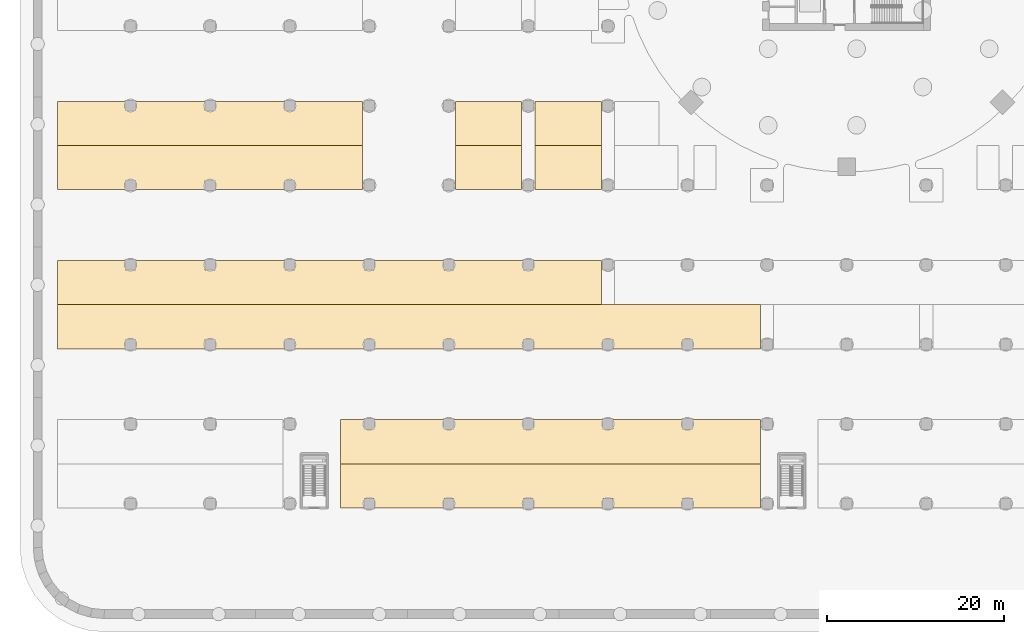
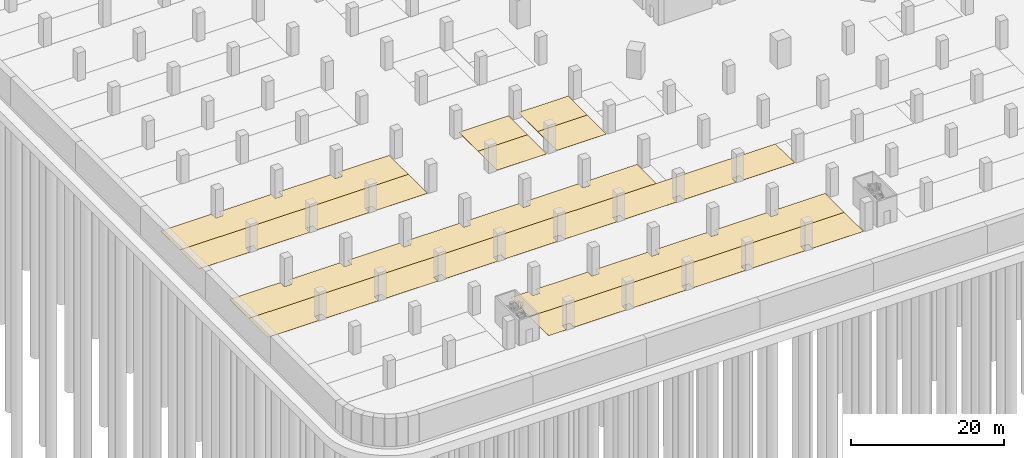
# One storey, part 26 of 39: 10 coverings.
"""IFC4 building model written with IfcOpenShell, lengths in metres."""

from ifc_helpers import new_model, si_unit, direction, frame, origin, place, context, subcontext, project, spatial, polyline, outline, extrude, material, layer, layer_set, type_object, element, save


model = new_model("IFC4")

# Units and contexts
model_context = context("Model", 3, precision=1e-05, world=origin(), true_north=direction((0.0, 1.0)))
body_context = subcontext(model_context, "Body", "Model", "MODEL_VIEW")
ifc_project = project(units=[si_unit("LENGTHUNIT", "METRE"), si_unit("AREAUNIT", "SQUARE_METRE"), si_unit("VOLUMEUNIT", "CUBIC_METRE"), si_unit("PLANEANGLEUNIT", "RADIAN"), si_unit("MASSUNIT", "GRAM", prefix="KILO")], contexts=[model_context])

# Site, building, storey
site_placement = place(None, origin())
site = spatial("IfcSite", under=ifc_project, at=site_placement, CompositionType="ELEMENT")
building_placement = place(site_placement, origin())
building = spatial("IfcBuilding", under=site, at=building_placement, Name="Ogive Gate Towers", CompositionType="ELEMENT")
storey_placement = place(building_placement, frame((0.0, 0.0, -9.0)))
storey = spatial("IfcBuildingStorey", under=building, at=storey_placement, Name="B2", CompositionType="ELEMENT", Elevation=-9.0)

# Coverings
ifc_material = material(Name="Painted floor marking")
ifc_layer_1 = layer(ifc_material, 0.02001953125)
ifc_layer_set_1 = layer_set([ifc_layer_1], Name="Charging bay marking")
covering_type_1 = type_object("IfcCoveringType", Name="Charging bay marking", PredefinedType="FLOORING", material=ifc_layer_set_1)
covering_1_placement = place(storey_placement, origin())
element("IfcCovering", 1, at=covering_1_placement, inside=storey, type_object=covering_type_1, Name="Charging bays B2-225 to B2-227", PredefinedType="FLOORING", context=body_context, shape_type="SweptSolid", body=[
    extrude(outline(polyline([(-63.75, -22.5), (-63.75, -27.5), (-71.25, -27.5), (-71.25, -22.5), (-63.75, -22.5)])), origin(), (0.0, 0.0, 1.0), 0.02001953125),
])
covering_2_placement = place(storey_placement, origin())
element("IfcCovering", 2, at=covering_2_placement, inside=storey, type_object=covering_type_1, Name="Charging bays B2-642 to B2-644", PredefinedType="FLOORING", context=body_context, shape_type="SweptSolid", body=[
    extrude(outline(polyline([(-63.75, -17.5), (-63.75, -22.5), (-71.25, -22.5), (-71.25, -17.5), (-63.75, -17.5)])), origin(), (0.0, 0.0, 1.0), 0.02001953125),
])
ifc_layer_2 = layer(ifc_material, 0.02001953125)
ifc_layer_set_2 = layer_set([ifc_layer_2], Name="Parking bay marking")
covering_type_2 = type_object("IfcCoveringType", Name="Parking bay marking", PredefinedType="FLOORING", material=ifc_layer_set_2)
covering_3_placement = place(storey_placement, origin())
element("IfcCovering", 3, at=covering_3_placement, inside=storey, type_object=covering_type_2, Name="Parking bays B2-210 to B2-221", PredefinedType="FLOORING", context=body_context, shape_type="SweptSolid", body=[
    extrude(outline(polyline([(-125.25, -22.5), (-90.75, -22.5), (-90.75, -27.5), (-98.449951171875, -27.5), (-98.449951171875, -26.449951171875), (-99.550048828125, -26.449951171875), (-99.550048828125, -27.5), (-107.449951171875, -27.5), (-107.449951171875, -26.449951171875), (-108.550048828125, -26.449951171875), (-108.550048828125, -27.5), (-116.449951171875, -27.5), (-116.449951171875, -26.449951171875), (-117.550048828125, -26.449951171875), (-117.550048828125, -27.5), (-125.25, -27.5), (-125.25, -22.5)])), origin(), (0.0, 0.0, 1.0), 0.02001953125),
])
covering_4_placement = place(storey_placement, origin())
element("IfcCovering", 4, at=covering_4_placement, inside=storey, type_object=covering_type_2, Name="Parking bays B2-222 to B2-224", PredefinedType="FLOORING", context=body_context, shape_type="SweptSolid", body=[
    extrude(outline(polyline([(-80.25, -22.5), (-72.75, -22.5), (-72.75, -27.5), (-80.25, -27.5), (-80.25, -22.5)])), origin(), (0.0, 0.0, 1.0), 0.02001953125),
])
covering_5_placement = place(storey_placement, origin())
element("IfcCovering", 5, at=covering_5_placement, inside=storey, type_object=covering_type_2, Name="Parking bays B2-258 to B2-284", PredefinedType="FLOORING", context=body_context, shape_type="SweptSolid", body=[
    extrude(outline(polyline([(-45.75, -40.5), (-45.75, -45.5), (-53.449951171875, -45.5), (-53.449951171875, -44.449951171875), (-54.550048828125, -44.449951171875), (-54.550048828125, -45.5), (-62.449951171875, -45.5), (-62.449951171875, -44.449951171875), (-63.550048828125, -44.449951171875), (-63.550048828125, -45.5), (-71.449951171875, -45.5), (-71.449951171875, -44.449951171875), (-72.550048828125, -44.449951171875), (-72.550048828125, -45.5), (-80.449951171875, -45.5), (-80.449951171875, -44.449951171875), (-81.550048828125, -44.449951171875), (-81.550048828125, -45.5), (-89.449951171875, -45.5), (-89.449951171875, -44.449951171875), (-90.550048828125, -44.449951171875), (-90.550048828125, -45.5), (-98.449951171875, -45.5), (-98.449951171875, -44.449951171875), (-99.550048828125, -44.449951171875), (-99.550048828125, -45.5), (-107.449951171875, -45.5), (-107.449951171875, -44.449951171875), (-108.550048828125, -44.449951171875), (-108.550048828125, -45.5), (-116.449951171875, -45.5), (-116.449951171875, -44.449951171875), (-117.550048828125, -44.449951171875), (-117.550048828125, -45.5), (-125.25, -45.5), (-125.25, -40.5), (-45.75, -40.5)])), origin(), (0.0, 0.0, 1.0), 0.02001953125),
])
covering_6_placement = place(storey_placement, origin())
element("IfcCovering", 6, at=covering_6_placement, inside=storey, type_object=covering_type_2, Name="Parking bays B2-345 to B2-360", PredefinedType="FLOORING", context=body_context, shape_type="SweptSolid", body=[
    extrude(outline(polyline([(-45.75, -58.5), (-45.75, -63.5), (-53.449951171875, -63.5), (-53.449951171875, -62.449951171875), (-54.550048828125, -62.449951171875), (-54.550048828125, -63.5), (-62.449951171875, -63.5), (-62.449951171875, -62.449951171875), (-63.550048828125, -62.449951171875), (-63.550048828125, -63.5), (-71.449951171875, -63.5), (-71.449951171875, -62.449951171875), (-72.550048828125, -62.449951171875), (-72.550048828125, -63.5), (-80.449951171875, -63.5), (-80.449951171875, -62.449951171875), (-81.550048828125, -62.449951171875), (-81.550048828125, -63.5), (-89.449951171875, -63.5), (-89.449951171875, -62.449951171875), (-90.550048828125, -62.449951171875), (-90.550048828125, -63.5), (-93.25, -63.5), (-93.25, -58.5), (-45.75, -58.5)])), origin(), (0.0, 0.0, 1.0), 0.02001953125),
])
covering_7_placement = place(storey_placement, origin())
element("IfcCovering", 7, at=covering_7_placement, inside=storey, type_object=covering_type_2, Name="Parking bays B2-627 to B2-638", PredefinedType="FLOORING", context=body_context, shape_type="SweptSolid", body=[
    extrude(outline(polyline([(-125.25, -17.5), (-117.550048828125, -17.5), (-117.550048828125, -18.550048828125), (-116.449951171875, -18.550048828125), (-116.449951171875, -17.5), (-108.550048828125, -17.5), (-108.550048828125, -18.550048828125), (-107.449951171875, -18.550048828125), (-107.449951171875, -17.5), (-99.550048828125, -17.5), (-99.550048828125, -18.550048828125), (-98.449951171875, -18.550048828125), (-98.449951171875, -17.5), (-90.75, -17.5), (-90.75, -22.5), (-125.25, -22.5), (-125.25, -17.5)])), origin(), (0.0, 0.0, 1.0), 0.02001953125),
])
covering_8_placement = place(storey_placement, origin())
element("IfcCovering", 8, at=covering_8_placement, inside=storey, type_object=covering_type_2, Name="Parking bays B2-639 to B2-641", PredefinedType="FLOORING", context=body_context, shape_type="SweptSolid", body=[
    extrude(outline(polyline([(-80.25, -17.5), (-72.75, -17.5), (-72.75, -22.5), (-80.25, -22.5), (-80.25, -17.5)])), origin(), (0.0, 0.0, 1.0), 0.02001953125),
])
covering_9_placement = place(storey_placement, origin())
element("IfcCovering", 9, at=covering_9_placement, inside=storey, type_object=covering_type_2, Name="Parking bays B2-671 to B2-691", PredefinedType="FLOORING", context=body_context, shape_type="SweptSolid", body=[
    extrude(outline(polyline([(-125.25, -35.5), (-117.550048828125, -35.5), (-117.550048828125, -36.550048828125), (-116.449951171875, -36.550048828125), (-116.449951171875, -35.5), (-108.550048828125, -35.5), (-108.550048828125, -36.550048828125), (-107.449951171875, -36.550048828125), (-107.449951171875, -35.5), (-99.550048828125, -35.5), (-99.550048828125, -36.550048828125), (-98.449951171875, -36.550048828125), (-98.449951171875, -35.5), (-90.550048828125, -35.5), (-90.550048828125, -36.550048828125), (-89.449951171875, -36.550048828125), (-89.449951171875, -35.5), (-81.550048828125, -35.5), (-81.550048828125, -36.550048828125), (-80.449951171875, -36.550048828125), (-80.449951171875, -35.5), (-72.550048828125, -35.5), (-72.550048828125, -36.550048828125), (-71.449951171875, -36.550048828125), (-71.449951171875, -35.5), (-63.75, -35.5), (-63.75, -40.5), (-125.25, -40.5), (-125.25, -35.5)])), origin(), (0.0, 0.0, 1.0), 0.02001953125),
])
covering_10_placement = place(storey_placement, origin())
element("IfcCovering", 10, at=covering_10_placement, inside=storey, type_object=covering_type_2, Name="Parking bays B2-758 to B2-773", PredefinedType="FLOORING", context=body_context, shape_type="SweptSolid", body=[
    extrude(outline(polyline([(-90.550048828125, -53.5), (-90.550048828125, -54.550048828125), (-89.449951171875, -54.550048828125), (-89.449951171875, -53.5), (-81.550048828125, -53.5), (-81.550048828125, -54.550048828125), (-80.449951171875, -54.550048828125), (-80.449951171875, -53.5), (-72.550048828125, -53.5), (-72.550048828125, -54.550048828125), (-71.449951171875, -54.550048828125), (-71.449951171875, -53.5), (-63.550048828125, -53.5), (-63.550048828125, -54.550048828125), (-62.449951171875, -54.550048828125), (-62.449951171875, -53.5), (-54.550048828125, -53.5), (-54.550048828125, -54.550048828125), (-53.449951171875, -54.550048828125), (-53.449951171875, -53.5), (-45.75, -53.5), (-45.75, -58.5), (-93.25, -58.5), (-93.25, -53.5), (-90.550048828125, -53.5)])), origin(), (0.0, 0.0, 1.0), 0.02001953125),
])

save(model, "model.ifc")
